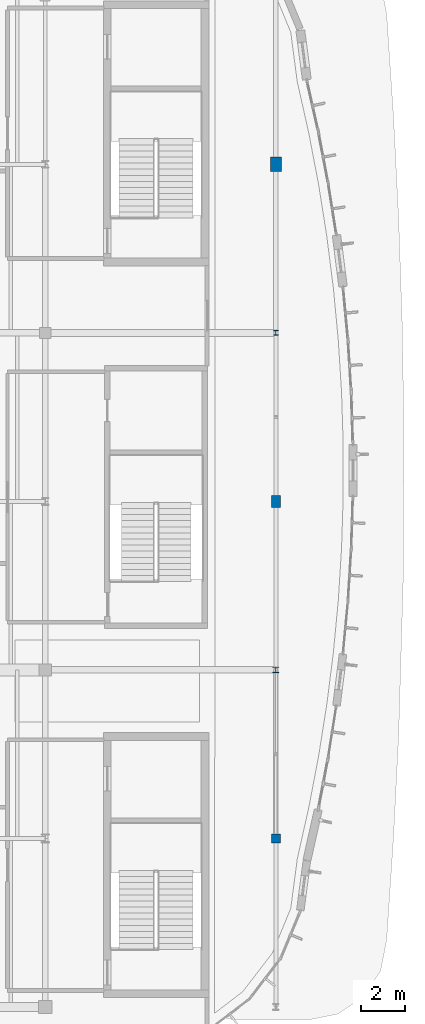
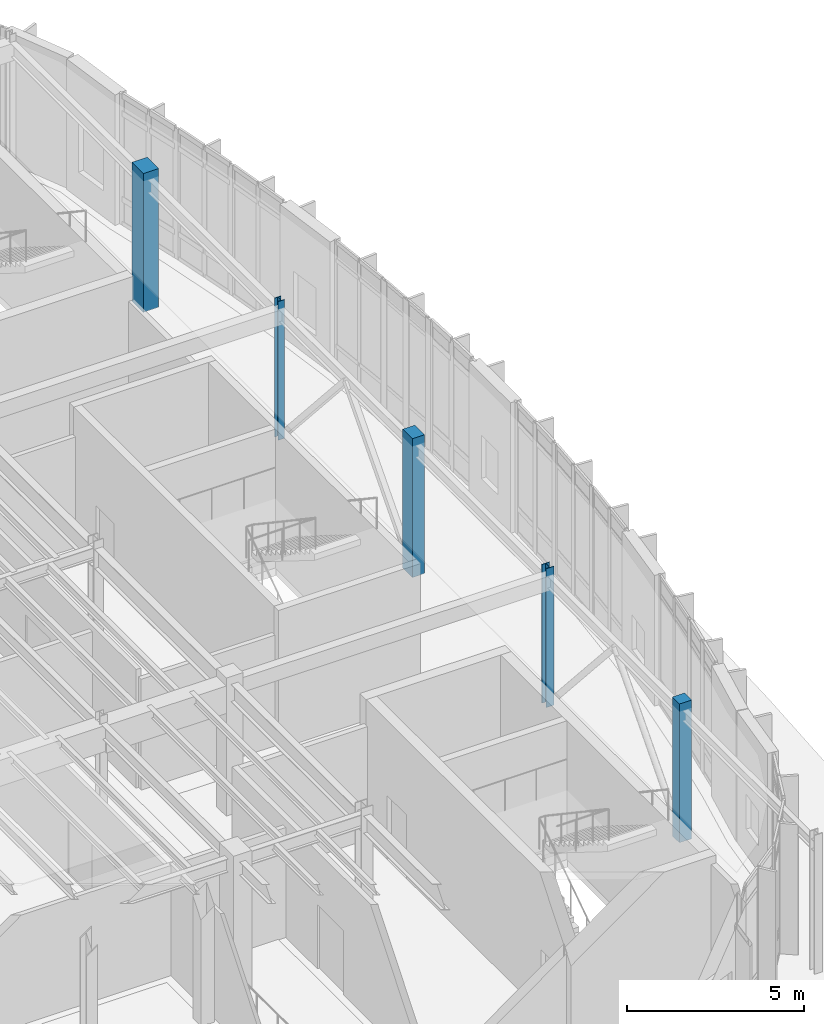
# One storey, part 18 of 120: 5 columns.
"""IFC4 building model written with IfcOpenShell, lengths in metres."""

import ifcopenshell
import ifcopenshell.guid

model = None  # the IFC model being written
_history = None  # IfcOwnerHistory: only IFC2X3 demands one
_inside = {}  # id of a spatial element -> (the spatial element, [elements in it])
_under = {}  # id of a project, library or spatial element -> (it, [spatial elements below it])
_declared = {}  # id of a project -> (the project, [libraries it declares])
_typed = {}  # id of a type object -> (the type object, [elements of that type])
_made_of = {}  # id of a material, layer set ... -> (it, [elements and type objects made of it])


def new_model(schema):
    """Start an empty IFC model of exactly this schema.

    Asked for "IFC4X3", IfcOpenShell would pick the latest addendum, in which some entities
    have other attributes; the version numbers below select the first issue.
    IFC2X3 requires an IfcOwnerHistory on every rooted entity: one is made here for all.
    """
    global model, _history
    if schema == "IFC4X3":
        model = ifcopenshell.file(schema_version=(4, 3, 0, 0))
    else:
        model = ifcopenshell.file(schema=schema)
    _inside.clear()
    _under.clear()
    _declared.clear()
    _typed.clear()
    _made_of.clear()
    _history = None
    if model.schema == "IFC2X3":
        org = make("IfcOrganization", Name="unknown")
        user = make(
            "IfcPersonAndOrganization",
            ThePerson=make("IfcPerson", FamilyName="unknown"),
            TheOrganization=org,
        )
        app = make(
            "IfcApplication",
            ApplicationDeveloper=org,
            Version="unknown",
            ApplicationFullName="unknown",
            ApplicationIdentifier="unknown",
        )
        _history = make(
            "IfcOwnerHistory",
            OwningUser=user,
            OwningApplication=app,
            ChangeAction="ADDED",
            CreationDate=0,
        )
    return model


def make(cls, **values):
    """One entity of the class cls with the attributes given. An attribute that is None is left unset."""
    return model.create_entity(
        cls, **{name: value for name, value in values.items() if value is not None}
    )


def rooted(cls, **values):
    """An entity with a GlobalId (a new one), such as an element, a storey or a relation."""
    return make(cls, GlobalId=ifcopenshell.guid.new(), OwnerHistory=_history, **values)


def si_unit(unit_type, name, prefix=None):
    """IfcSIUnit, for example si_unit("LENGTHUNIT", "METRE", prefix="MILLI")."""
    return make("IfcSIUnit", UnitType=unit_type, Prefix=prefix, Name=name)


def assignment(units):
    """IfcUnitAssignment: the units of a project."""
    return None if units is None else make("IfcUnitAssignment", Units=units)


def point(xyz):
    """IfcCartesianPoint."""
    return None if xyz is None else make("IfcCartesianPoint", Coordinates=xyz)


def direction(xyz):
    """IfcDirection."""
    return None if xyz is None else make("IfcDirection", DirectionRatios=xyz)


def frame(location, z_axis=None, x_axis=None):
    """IfcAxis2Placement3D, a coordinate frame: its origin and axes. An axis left out is left unset."""
    return make(
        "IfcAxis2Placement3D",
        Location=point(location),
        Axis=direction(z_axis),
        RefDirection=direction(x_axis),
    )


def frame_2d(location, x_axis=None):
    """IfcAxis2Placement2D, a coordinate frame in the plane: its origin and x axis."""
    return make(
        "IfcAxis2Placement2D", Location=point(location), RefDirection=direction(x_axis)
    )


def origin():
    """The frame at (0, 0, 0) with its axes left unset."""
    return frame((0.0, 0.0, 0.0))


def origin_2d():
    """The frame at (0, 0) in the plane with its x axis left unset."""
    return frame_2d((0.0, 0.0))


def place(relative_to, where):
    """IfcLocalPlacement: puts the frame where relative to a parent placement (None: the world)."""
    return make(
        "IfcLocalPlacement", PlacementRelTo=relative_to, RelativePlacement=where
    )


def context(
    kind, dimensions, precision=None, world=None, true_north=None, identifier=None
):
    """IfcGeometricRepresentationContext, for example the 3D "Model" context."""
    return make(
        "IfcGeometricRepresentationContext",
        ContextIdentifier=identifier,
        ContextType=kind,
        CoordinateSpaceDimension=dimensions,
        Precision=precision,
        WorldCoordinateSystem=world,
        TrueNorth=true_north,
    )


def subcontext(parent, identifier, kind, view, scale=None):
    """IfcGeometricRepresentationSubContext, for example "Body" below "Model"."""
    return make(
        "IfcGeometricRepresentationSubContext",
        ContextIdentifier=identifier,
        ContextType=kind,
        ParentContext=parent,
        TargetScale=scale,
        TargetView=view,
    )


def project(units=None, contexts=None):
    """IfcProject with its units and contexts."""
    return rooted(
        "IfcProject",
        Name="project",
        RepresentationContexts=contexts,
        UnitsInContext=assignment(units),
    )


def spatial(cls, under=None, at=None, **own):
    """A site, building, storey or space (cls), placed at a placement, below another one or the project."""
    s = rooted(cls, ObjectPlacement=at, **own)
    if under is not None:
        _under.setdefault(under.id(), (under, []))[1].append(s)
    return s


def profile(cls, at=None, kind="AREA", **sizes):
    """A parametric profile (cls). Its sizes go by their IFC names, for example OverallWidth=200.0."""
    return make(cls, ProfileType=kind, Position=at, **sizes)


def rectangle(**sizes):
    """IfcRectangleProfileDef."""
    return profile("IfcRectangleProfileDef", **sizes)


def i_section(**sizes):
    """IfcIShapeProfileDef."""
    return profile("IfcIShapeProfileDef", **sizes)


def extrude(swept, where, along, depth):
    """IfcExtrudedAreaSolid: the profile swept, set in the frame where, extruded along a direction by depth."""
    return make(
        "IfcExtrudedAreaSolid",
        SweptArea=swept,
        Position=where,
        ExtrudedDirection=direction(along),
        Depth=depth,
    )


def shape(context_of_items, identifier, shape_type, items):
    """IfcShapeRepresentation: the items that make up one representation, for example the "Body"."""
    return make(
        "IfcShapeRepresentation",
        ContextOfItems=context_of_items,
        RepresentationIdentifier=identifier,
        RepresentationType=shape_type,
        Items=items,
    )


def material(Name=None, Category=None):
    """IfcMaterial."""
    return make("IfcMaterial", Name=Name, Category=Category)


def material_profile(
    of_material, cross_section, Name=None, Category=None, Priority=None
):
    """IfcMaterialProfile: a cross section and its material."""
    return make(
        "IfcMaterialProfile",
        Name=Name,
        Material=of_material,
        Profile=cross_section,
        Priority=Priority,
        Category=Category,
    )


def profile_set(profiles, Name=None, composite=None):
    """IfcMaterialProfileSet."""
    return make(
        "IfcMaterialProfileSet",
        Name=Name,
        MaterialProfiles=profiles,
        CompositeProfile=composite,
    )


def made_of(thing, what):
    """Note that an element or type object is made of a material, layer set ...; save() writes the relation."""
    if what is not None:
        _made_of.setdefault(what.id(), (what, []))[1].append(thing)
    return thing


def type_object(cls, material=None, **own):
    """A type object (cls), such as IfcWallType, which elements share."""
    return made_of(rooted(cls, **own), material)


def element(
    cls,
    number,
    at=None,
    inside=None,
    cuts=None,
    type_object=None,
    material=None,
    context=None,
    identifier="Body",
    shape_type=None,
    held_by="IfcProductDefinitionShape",
    body=None,
    shapes=None,
    **own,
):
    """One element of the class cls, such as IfcWall. Its Tag is "e" and its number.

    at: its placement. inside: the storey or other place that contains it. cuts: it is an
    opening in that element (IfcRelVoidsElement). A single representation is given by context,
    identifier, shape_type and body (its items); several are given by shapes. held_by: the class
    of the entity that holds the representations. save() writes the other relations.
    """
    e = rooted(cls, Tag="e%d" % number, ObjectPlacement=at, **own)
    if body is not None:
        shapes = [shape(context, identifier, shape_type, body)]
    if shapes is not None:
        e.Representation = make(held_by, Representations=shapes)
    if inside is not None:
        _inside.setdefault(inside.id(), (inside, []))[1].append(e)
    if cuts is not None:
        rooted(
            "IfcRelVoidsElement", RelatingBuildingElement=cuts, RelatedOpeningElement=e
        )
    if type_object is not None:
        _typed.setdefault(type_object.id(), (type_object, []))[1].append(e)
    return made_of(e, material)


def aggregate(whole, parts):
    """IfcRelAggregates: a whole, such as a stair, and the parts it consists of."""
    return rooted("IfcRelAggregates", RelatingObject=whole, RelatedObjects=parts)


def save(model, path):
    """Write the relations noted so far, then the file.

    IfcRelAggregates (storeys below a building ...), IfcRelContainedInSpatialStructure (elements
    in a storey), IfcRelDefinesByType, IfcRelAssociatesMaterial and IfcRelDeclares: one each for
    every whole, place, type object, material and project.
    """
    for whole, parts in _under.values():
        aggregate(whole, parts)
    for where, things in _inside.values():
        rooted(
            "IfcRelContainedInSpatialStructure",
            RelatedElements=things,
            RelatingStructure=where,
        )
    for kind, things in _typed.values():
        rooted("IfcRelDefinesByType", RelatedObjects=things, RelatingType=kind)
    for what, things in _made_of.values():
        rooted("IfcRelAssociatesMaterial", RelatedObjects=things, RelatingMaterial=what)
    for by, libraries in _declared.values():
        rooted("IfcRelDeclares", RelatingContext=by, RelatedDefinitions=libraries)
    model.write(path)


model = new_model("IFC4")

# Units and contexts
model_context = context("Model", 3, precision=1e-05, world=origin(), true_north=direction((0.0, 1.0)))
body_context = subcontext(model_context, "Body", "Model", "MODEL_VIEW")
ifc_project = project(units=[si_unit("LENGTHUNIT", "METRE"), si_unit("AREAUNIT", "SQUARE_METRE"), si_unit("VOLUMEUNIT", "CUBIC_METRE"), si_unit("PLANEANGLEUNIT", "RADIAN"), si_unit("MASSUNIT", "GRAM", prefix="KILO")], contexts=[model_context])

# Site, building, storey
site_placement = place(None, origin())
site = spatial("IfcSite", under=ifc_project, at=site_placement, CompositionType="ELEMENT")
building_placement = place(site_placement, origin())
building = spatial("IfcBuilding", under=site, at=building_placement, Name="Corveleigh Park Community Centre", CompositionType="ELEMENT")
storey_placement = place(building_placement, origin())
storey = spatial("IfcBuildingStorey", under=building, at=storey_placement, Name="L00", CompositionType="ELEMENT", Elevation=0.0)

# Columns
ifc_material_1 = material(Name="Concrete C40/50", Category="concrete")
ifc_material_profile_1 = material_profile(ifc_material_1, rectangle(XDim=0.39990234375, YDim=0.39990234375, at=origin_2d()), Name="RC-400x400", Category="concrete")
ifc_profile_set_1 = profile_set([ifc_material_profile_1], Name="Concrete C40/50")
column_type_1 = type_object("IfcColumnType", Name="COL-RC-400x400", PredefinedType="COLUMN", material=ifc_profile_set_1)
column_1_placement = place(storey_placement, frame((168.39990234375, 66.199951171875, 0.0), z_axis=(0.0, 0.0, 1.0), x_axis=(1.0, 0.0, 0.0)))
element("IfcColumn", 1, at=column_1_placement, inside=storey, type_object=column_type_1, Name="Column V4-X7Y1 L00", PredefinedType="COLUMN", context=body_context, shape_type="SweptSolid", body=[
    extrude(rectangle(XDim=0.39990234375, YDim=0.39990234375, at=origin_2d()), origin(), (0.0, 0.0, 1.0), 4.800048828125),
])
ifc_material_profile_2 = material_profile(ifc_material_1, rectangle(XDim=0.39990234375, YDim=0.550048828125, at=origin_2d()), Name="RC-400x550", Category="concrete")
ifc_profile_set_2 = profile_set([ifc_material_profile_2], Name="Concrete C40/50")
column_type_2 = type_object("IfcColumnType", Name="COL-RC-400x550", PredefinedType="COLUMN", material=ifc_profile_set_2)
column_2_placement = place(storey_placement, frame((168.39990234375, 81.39990234375, 0.0), z_axis=(0.0, 0.0, 1.0), x_axis=(1.0, 0.0, 0.0)))
element("IfcColumn", 2, at=column_2_placement, inside=storey, type_object=column_type_2, Name="Column V4-X7Y3 L00", PredefinedType="COLUMN", context=body_context, shape_type="SweptSolid", body=[
    extrude(rectangle(XDim=0.39990234375, YDim=0.550048828125, at=origin_2d()), origin(), (0.0, 0.0, 1.0), 4.800048828125),
])
ifc_material_profile_3 = material_profile(ifc_material_1, rectangle(XDim=0.5, YDim=0.64990234375, at=origin_2d()), Name="RC-500x650", Category="concrete")
ifc_profile_set_3 = profile_set([ifc_material_profile_3], Name="Concrete C40/50")
column_type_3 = type_object("IfcColumnType", Name="COL-RC-500x650", PredefinedType="COLUMN", material=ifc_profile_set_3)
column_3_placement = place(storey_placement, frame((168.39990234375, 96.60009765625, 0.0), z_axis=(0.0, 0.0, 1.0), x_axis=(1.0, 0.0, 0.0)))
element("IfcColumn", 3, at=column_3_placement, inside=storey, type_object=column_type_3, Name="Column V4-X7Y5 L00", PredefinedType="COLUMN", context=body_context, shape_type="SweptSolid", body=[
    extrude(rectangle(XDim=0.5, YDim=0.64990234375, at=origin_2d()), origin(), (0.0, 0.0, 1.0), 4.800048828125),
])
ifc_material_2 = material(Name="Steel S355", Category="steel")
ifc_material_profile_4 = material_profile(ifc_material_2, i_section(OverallWidth=0.206298828125, OverallDepth=0.2158203125, WebThickness=0.010009765625, FlangeThickness=0.017333984375, at=origin_2d()), Name="UKC 203x203x71", Category="steel")
ifc_profile_set_4 = profile_set([ifc_material_profile_4], Name="Steel S355")
column_type_4 = type_object("IfcColumnType", Name="COL-STL-UKC203x71", PredefinedType="COLUMN", material=ifc_profile_set_4)
column_4_placement = place(storey_placement, frame((168.39990234375, 89.0, 0.0), z_axis=(0.0, 0.0, 1.0), x_axis=(1.0, 0.0, 0.0)))
element("IfcColumn", 4, at=column_4_placement, inside=storey, type_object=column_type_4, Name="Column V4-X7Y4 L00", PredefinedType="COLUMN", context=body_context, shape_type="SweptSolid", body=[
    extrude(i_section(OverallWidth=0.206298828125, OverallDepth=0.2158203125, WebThickness=0.010009765625, FlangeThickness=0.017333984375, at=origin_2d()), origin(), (0.0, 0.0, 1.0), 4.800048828125),
])
ifc_material_profile_5 = material_profile(ifc_material_2, i_section(OverallWidth=0.25634765625, OverallDepth=0.26025390625, WebThickness=0.01025390625, FlangeThickness=0.017333984375, at=origin_2d()), Name="UKC 254x254x89", Category="steel")
ifc_profile_set_5 = profile_set([ifc_material_profile_5], Name="Steel S355")
column_type_5 = type_object("IfcColumnType", Name="COL-STL-UKC254x89", PredefinedType="COLUMN", material=ifc_profile_set_5)
column_5_placement = place(storey_placement, frame((168.39990234375, 73.800048828125, 0.0), z_axis=(0.0, 0.0, 1.0), x_axis=(1.0, 0.0, 0.0)))
element("IfcColumn", 5, at=column_5_placement, inside=storey, type_object=column_type_5, Name="Column V4-X7Y2 L00", PredefinedType="COLUMN", context=body_context, shape_type="SweptSolid", body=[
    extrude(i_section(OverallWidth=0.25634765625, OverallDepth=0.26025390625, WebThickness=0.01025390625, FlangeThickness=0.017333984375, at=origin_2d()), origin(), (0.0, 0.0, 1.0), 4.800048828125),
])

save(model, "model.ifc")
